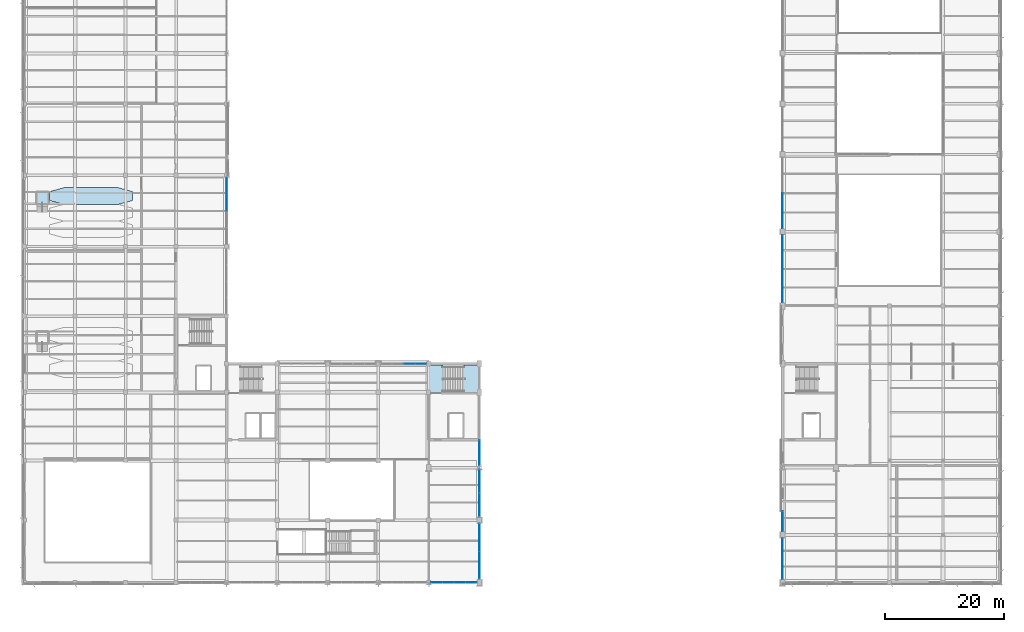
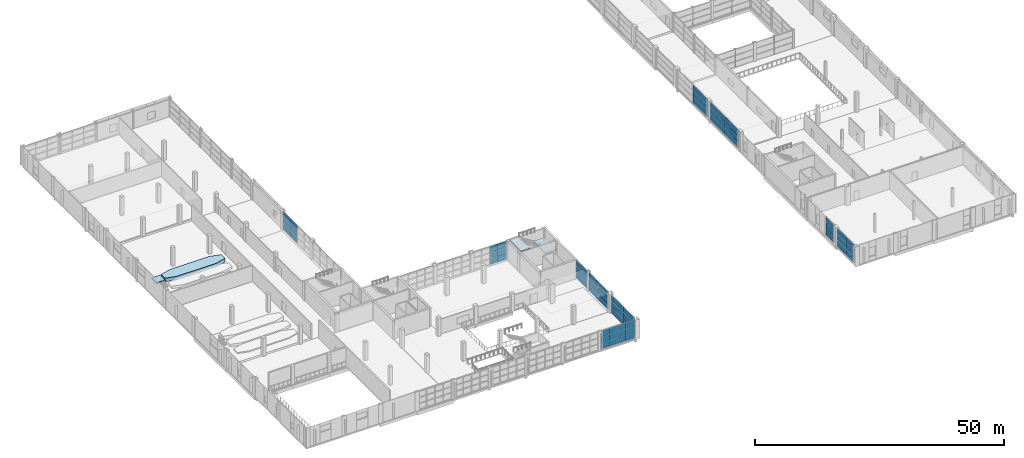
# One storey, part 86 of 112: 57 plates, 4 slabs, 12 elements without a shape of their own.
"""IFC4 building model written with IfcOpenShell, lengths in metres."""

import ifcopenshell
import ifcopenshell.guid

model = None  # the IFC model being written
_history = None  # IfcOwnerHistory: only IFC2X3 demands one
_inside = {}  # id of a spatial element -> (the spatial element, [elements in it])
_under = {}  # id of a project, library or spatial element -> (it, [spatial elements below it])
_declared = {}  # id of a project -> (the project, [libraries it declares])
_typed = {}  # id of a type object -> (the type object, [elements of that type])
_made_of = {}  # id of a material, layer set ... -> (it, [elements and type objects made of it])


def new_model(schema):
    """Start an empty IFC model of exactly this schema.

    Asked for "IFC4X3", IfcOpenShell would pick the latest addendum, in which some entities
    have other attributes; the version numbers below select the first issue.
    IFC2X3 requires an IfcOwnerHistory on every rooted entity: one is made here for all.
    """
    global model, _history
    if schema == "IFC4X3":
        model = ifcopenshell.file(schema_version=(4, 3, 0, 0))
    else:
        model = ifcopenshell.file(schema=schema)
    _inside.clear()
    _under.clear()
    _declared.clear()
    _typed.clear()
    _made_of.clear()
    _history = None
    if model.schema == "IFC2X3":
        org = make("IfcOrganization", Name="unknown")
        user = make(
            "IfcPersonAndOrganization",
            ThePerson=make("IfcPerson", FamilyName="unknown"),
            TheOrganization=org,
        )
        app = make(
            "IfcApplication",
            ApplicationDeveloper=org,
            Version="unknown",
            ApplicationFullName="unknown",
            ApplicationIdentifier="unknown",
        )
        _history = make(
            "IfcOwnerHistory",
            OwningUser=user,
            OwningApplication=app,
            ChangeAction="ADDED",
            CreationDate=0,
        )
    return model


def make(cls, **values):
    """One entity of the class cls with the attributes given. An attribute that is None is left unset."""
    return model.create_entity(
        cls, **{name: value for name, value in values.items() if value is not None}
    )


def rooted(cls, **values):
    """An entity with a GlobalId (a new one), such as an element, a storey or a relation."""
    return make(cls, GlobalId=ifcopenshell.guid.new(), OwnerHistory=_history, **values)


def si_unit(unit_type, name, prefix=None):
    """IfcSIUnit, for example si_unit("LENGTHUNIT", "METRE", prefix="MILLI")."""
    return make("IfcSIUnit", UnitType=unit_type, Prefix=prefix, Name=name)


def assignment(units):
    """IfcUnitAssignment: the units of a project."""
    return None if units is None else make("IfcUnitAssignment", Units=units)


def point(xyz):
    """IfcCartesianPoint."""
    return None if xyz is None else make("IfcCartesianPoint", Coordinates=xyz)


def direction(xyz):
    """IfcDirection."""
    return None if xyz is None else make("IfcDirection", DirectionRatios=xyz)


def frame(location, z_axis=None, x_axis=None):
    """IfcAxis2Placement3D, a coordinate frame: its origin and axes. An axis left out is left unset."""
    return make(
        "IfcAxis2Placement3D",
        Location=point(location),
        Axis=direction(z_axis),
        RefDirection=direction(x_axis),
    )


def frame_2d(location, x_axis=None):
    """IfcAxis2Placement2D, a coordinate frame in the plane: its origin and x axis."""
    return make(
        "IfcAxis2Placement2D", Location=point(location), RefDirection=direction(x_axis)
    )


def origin():
    """The frame at (0, 0, 0) with its axes left unset."""
    return frame((0.0, 0.0, 0.0))


def origin_2d():
    """The frame at (0, 0) in the plane with its x axis left unset."""
    return frame_2d((0.0, 0.0))


def place(relative_to, where):
    """IfcLocalPlacement: puts the frame where relative to a parent placement (None: the world)."""
    return make(
        "IfcLocalPlacement", PlacementRelTo=relative_to, RelativePlacement=where
    )


def context(
    kind, dimensions, precision=None, world=None, true_north=None, identifier=None
):
    """IfcGeometricRepresentationContext, for example the 3D "Model" context."""
    return make(
        "IfcGeometricRepresentationContext",
        ContextIdentifier=identifier,
        ContextType=kind,
        CoordinateSpaceDimension=dimensions,
        Precision=precision,
        WorldCoordinateSystem=world,
        TrueNorth=true_north,
    )


def subcontext(parent, identifier, kind, view, scale=None):
    """IfcGeometricRepresentationSubContext, for example "Body" below "Model"."""
    return make(
        "IfcGeometricRepresentationSubContext",
        ContextIdentifier=identifier,
        ContextType=kind,
        ParentContext=parent,
        TargetScale=scale,
        TargetView=view,
    )


def project(units=None, contexts=None):
    """IfcProject with its units and contexts."""
    return rooted(
        "IfcProject",
        Name="project",
        RepresentationContexts=contexts,
        UnitsInContext=assignment(units),
    )


def spatial(cls, under=None, at=None, **own):
    """A site, building, storey or space (cls), placed at a placement, below another one or the project."""
    s = rooted(cls, ObjectPlacement=at, **own)
    if under is not None:
        _under.setdefault(under.id(), (under, []))[1].append(s)
    return s


def polyline(points):
    """IfcPolyline through the points."""
    return make("IfcPolyline", Points=[point(p) for p in points])


def profile(cls, at=None, kind="AREA", **sizes):
    """A parametric profile (cls). Its sizes go by their IFC names, for example OverallWidth=200.0."""
    return make(cls, ProfileType=kind, Position=at, **sizes)


def rectangle(**sizes):
    """IfcRectangleProfileDef."""
    return profile("IfcRectangleProfileDef", **sizes)


def outline(outer, holes=None, kind="AREA"):
    """IfcArbitraryClosedProfileDef: a profile drawn as a closed curve; with holes, ...WithVoids."""
    if holes is None:
        return make("IfcArbitraryClosedProfileDef", ProfileType=kind, OuterCurve=outer)
    return make(
        "IfcArbitraryProfileDefWithVoids",
        ProfileType=kind,
        OuterCurve=outer,
        InnerCurves=holes,
    )


def extrude(swept, where, along, depth):
    """IfcExtrudedAreaSolid: the profile swept, set in the frame where, extruded along a direction by depth."""
    return make(
        "IfcExtrudedAreaSolid",
        SweptArea=swept,
        Position=where,
        ExtrudedDirection=direction(along),
        Depth=depth,
    )


def shape(context_of_items, identifier, shape_type, items):
    """IfcShapeRepresentation: the items that make up one representation, for example the "Body"."""
    return make(
        "IfcShapeRepresentation",
        ContextOfItems=context_of_items,
        RepresentationIdentifier=identifier,
        RepresentationType=shape_type,
        Items=items,
    )


def material(Name=None, Category=None):
    """IfcMaterial."""
    return make("IfcMaterial", Name=Name, Category=Category)


def layer(
    of_material, thickness, ventilated=None, Name=None, Category=None, Priority=None
):
    """IfcMaterialLayer: one layer of a wall or slab, of a material (None: an air gap)."""
    return make(
        "IfcMaterialLayer",
        Material=of_material,
        LayerThickness=thickness,
        IsVentilated=ventilated,
        Name=Name,
        Category=Category,
        Priority=Priority,
    )


def layer_set(layers, Name=None):
    """IfcMaterialLayerSet."""
    return make("IfcMaterialLayerSet", MaterialLayers=layers, LayerSetName=Name)


def made_of(thing, what):
    """Note that an element or type object is made of a material, layer set ...; save() writes the relation."""
    if what is not None:
        _made_of.setdefault(what.id(), (what, []))[1].append(thing)
    return thing


def type_object(cls, material=None, **own):
    """A type object (cls), such as IfcWallType, which elements share."""
    return made_of(rooted(cls, **own), material)


def element(
    cls,
    number,
    at=None,
    inside=None,
    cuts=None,
    type_object=None,
    material=None,
    context=None,
    identifier="Body",
    shape_type=None,
    held_by="IfcProductDefinitionShape",
    body=None,
    shapes=None,
    **own,
):
    """One element of the class cls, such as IfcWall. Its Tag is "e" and its number.

    at: its placement. inside: the storey or other place that contains it. cuts: it is an
    opening in that element (IfcRelVoidsElement). A single representation is given by context,
    identifier, shape_type and body (its items); several are given by shapes. held_by: the class
    of the entity that holds the representations. save() writes the other relations.
    """
    e = rooted(cls, Tag="e%d" % number, ObjectPlacement=at, **own)
    if body is not None:
        shapes = [shape(context, identifier, shape_type, body)]
    if shapes is not None:
        e.Representation = make(held_by, Representations=shapes)
    if inside is not None:
        _inside.setdefault(inside.id(), (inside, []))[1].append(e)
    if cuts is not None:
        rooted(
            "IfcRelVoidsElement", RelatingBuildingElement=cuts, RelatedOpeningElement=e
        )
    if type_object is not None:
        _typed.setdefault(type_object.id(), (type_object, []))[1].append(e)
    return made_of(e, material)


def aggregate(whole, parts):
    """IfcRelAggregates: a whole, such as a stair, and the parts it consists of."""
    return rooted("IfcRelAggregates", RelatingObject=whole, RelatedObjects=parts)


def save(model, path):
    """Write the relations noted so far, then the file.

    IfcRelAggregates (storeys below a building ...), IfcRelContainedInSpatialStructure (elements
    in a storey), IfcRelDefinesByType, IfcRelAssociatesMaterial and IfcRelDeclares: one each for
    every whole, place, type object, material and project.
    """
    for whole, parts in _under.values():
        aggregate(whole, parts)
    for where, things in _inside.values():
        rooted(
            "IfcRelContainedInSpatialStructure",
            RelatedElements=things,
            RelatingStructure=where,
        )
    for kind, things in _typed.values():
        rooted("IfcRelDefinesByType", RelatedObjects=things, RelatingType=kind)
    for what, things in _made_of.values():
        rooted("IfcRelAssociatesMaterial", RelatedObjects=things, RelatingMaterial=what)
    for by, libraries in _declared.values():
        rooted("IfcRelDeclares", RelatingContext=by, RelatedDefinitions=libraries)
    model.write(path)


model = new_model("IFC4")

# Units and contexts
model_context = context("Model", 3, precision=1e-05, world=origin(), true_north=direction((0.0, 1.0)))
body_context = subcontext(model_context, "Body", "Model", "MODEL_VIEW")
ifc_project = project(units=[si_unit("LENGTHUNIT", "METRE"), si_unit("AREAUNIT", "SQUARE_METRE"), si_unit("VOLUMEUNIT", "CUBIC_METRE"), si_unit("PLANEANGLEUNIT", "RADIAN"), si_unit("MASSUNIT", "GRAM", prefix="KILO")], contexts=[model_context])

# Site, building, storey
site_placement = place(None, origin())
site = spatial("IfcSite", under=ifc_project, at=site_placement, CompositionType="ELEMENT")
building_placement = place(site_placement, origin())
building = spatial("IfcBuilding", under=site, at=building_placement, Name="Solvikara Media Centre", CompositionType="ELEMENT")
storey_placement = place(building_placement, frame((0.0, 0.0, 5.39990234375)))
storey = spatial("IfcBuildingStorey", under=building, at=storey_placement, Name="L01", CompositionType="ELEMENT", Elevation=5.39990234375)

# Curtain wall, plates
ifc_material_1 = material(Name="Anodised aluminium EN AW-6063", Category="aluminium")
curtain_wall_type_1 = type_object("IfcCurtainWallType", Name="CW-04", PredefinedType="NOTDEFINED", material=ifc_material_1)
curtain_wall_1_placement = place(storey_placement, origin())
curtain_wall_1 = element("IfcCurtainWall", 1, at=curtain_wall_1_placement, inside=storey, type_object=curtain_wall_type_1, Name="CW-L01-V6S-5", PredefinedType="NOTDEFINED")
ifc_material_2 = material(Name="Double-glazed low-E architectural glass", Category="glass")
ifc_layer_1 = layer(ifc_material_2, 0.035888671875)
ifc_layer_set_1 = layer_set([ifc_layer_1], Name="Double-glazed low-E architectural glass")
plate_type_1 = type_object("IfcPlateType", Name="PN-06", PredefinedType="CURTAIN_PANEL", material=ifc_layer_set_1)
plate_1_placement = place(storey_placement, frame((69.34912109375, 0.0, 0.03466796875), z_axis=(0.0, 0.0, 1.0), x_axis=(1.0, 0.0, 0.0)))
plate_1 = element("IfcPlate", 2, at=plate_1_placement, type_object=plate_type_1, Name="CW-L01-V6S-5-P0000", PredefinedType="CURTAIN_PANEL", context=body_context, shape_type="SweptSolid", body=[
    extrude(rectangle(XDim=1.887939453125, YDim=0.035888671875, at=origin_2d()), origin(), (0.0, 0.0, 1.0), 1.45703125),
])
plate_2_placement = place(storey_placement, frame((69.34912109375, 0.0, 3.008544921875), z_axis=(0.0, 0.0, 1.0), x_axis=(1.0, 0.0, 0.0)))
plate_2 = element("IfcPlate", 3, at=plate_2_placement, type_object=plate_type_1, Name="CW-L01-V6S-5-P0002", PredefinedType="CURTAIN_PANEL", context=body_context, shape_type="SweptSolid", body=[
    extrude(rectangle(XDim=1.887939453125, YDim=0.035888671875, at=origin_2d()), origin(), (0.0, 0.0, 1.0), 1.45703125),
])
plate_3_placement = place(storey_placement, frame((71.26611328125, 0.0, 1.521484375), z_axis=(0.0, 0.0, 1.0), x_axis=(1.0, 0.0, 0.0)))
plate_3 = element("IfcPlate", 4, at=plate_3_placement, type_object=plate_type_1, Name="CW-L01-V6S-5-P0101", PredefinedType="CURTAIN_PANEL", context=body_context, shape_type="SweptSolid", body=[
    extrude(rectangle(XDim=1.887939453125, YDim=0.035888671875, at=origin_2d()), origin(), (0.0, 0.0, 1.0), 1.45703125),
])
plate_4_placement = place(storey_placement, frame((73.18408203125, 0.0, 0.03466796875), z_axis=(0.0, 0.0, 1.0), x_axis=(1.0, 0.0, 0.0)))
plate_4 = element("IfcPlate", 5, at=plate_4_placement, type_object=plate_type_1, Name="CW-L01-V6S-5-P0200", PredefinedType="CURTAIN_PANEL", context=body_context, shape_type="SweptSolid", body=[
    extrude(rectangle(XDim=1.887939453125, YDim=0.035888671875, at=origin_2d()), origin(), (0.0, 0.0, 1.0), 1.45703125),
])
plate_5_placement = place(storey_placement, frame((73.18408203125, 0.0, 3.008544921875), z_axis=(0.0, 0.0, 1.0), x_axis=(1.0, 0.0, 0.0)))
plate_5 = element("IfcPlate", 6, at=plate_5_placement, type_object=plate_type_1, Name="CW-L01-V6S-5-P0202", PredefinedType="CURTAIN_PANEL", context=body_context, shape_type="SweptSolid", body=[
    extrude(rectangle(XDim=1.887939453125, YDim=0.035888671875, at=origin_2d()), origin(), (0.0, 0.0, 1.0), 1.45703125),
])
plate_6_placement = place(storey_placement, frame((75.10107421875, 0.0, 1.521484375), z_axis=(0.0, 0.0, 1.0), x_axis=(1.0, 0.0, 0.0)))
plate_6 = element("IfcPlate", 7, at=plate_6_placement, type_object=plate_type_1, Name="CW-L01-V6S-5-P0301", PredefinedType="CURTAIN_PANEL", context=body_context, shape_type="SweptSolid", body=[
    extrude(rectangle(XDim=1.887939453125, YDim=0.035888671875, at=origin_2d()), origin(), (0.0, 0.0, 1.0), 1.45703125),
])
ifc_material_3 = material(Name="Insulated silver-pearl glass spandrel panel", Category="glass")
ifc_layer_2 = layer(ifc_material_3, 0.054931640625)
ifc_layer_set_2 = layer_set([ifc_layer_2], Name="Insulated silver-pearl glass spandrel panel")
plate_type_2 = type_object("IfcPlateType", Name="PN-07", PredefinedType="CURTAIN_PANEL", material=ifc_layer_set_2)
plate_7_placement = place(storey_placement, frame((69.34912109375, 0.0, 1.521484375), z_axis=(0.0, 0.0, 1.0), x_axis=(1.0, 0.0, 0.0)))
plate_7 = element("IfcPlate", 8, at=plate_7_placement, type_object=plate_type_2, Name="CW-L01-V6S-5-P0001", PredefinedType="CURTAIN_PANEL", context=body_context, shape_type="SweptSolid", body=[
    extrude(rectangle(XDim=1.887939453125, YDim=0.054931640625, at=origin_2d()), origin(), (0.0, 0.0, 1.0), 1.45703125),
])
plate_8_placement = place(storey_placement, frame((71.26611328125, 0.0, 0.03466796875), z_axis=(0.0, 0.0, 1.0), x_axis=(1.0, 0.0, 0.0)))
plate_8 = element("IfcPlate", 9, at=plate_8_placement, type_object=plate_type_2, Name="CW-L01-V6S-5-P0100", PredefinedType="CURTAIN_PANEL", context=body_context, shape_type="SweptSolid", body=[
    extrude(rectangle(XDim=1.887939453125, YDim=0.054931640625, at=origin_2d()), origin(), (0.0, 0.0, 1.0), 1.45703125),
])
plate_9_placement = place(storey_placement, frame((71.26611328125, 0.0, 3.008544921875), z_axis=(0.0, 0.0, 1.0), x_axis=(1.0, 0.0, 0.0)))
plate_9 = element("IfcPlate", 10, at=plate_9_placement, type_object=plate_type_2, Name="CW-L01-V6S-5-P0102", PredefinedType="CURTAIN_PANEL", context=body_context, shape_type="SweptSolid", body=[
    extrude(rectangle(XDim=1.887939453125, YDim=0.054931640625, at=origin_2d()), origin(), (0.0, 0.0, 1.0), 1.45703125),
])
plate_10_placement = place(storey_placement, frame((73.18408203125, 0.0, 1.521484375), z_axis=(0.0, 0.0, 1.0), x_axis=(1.0, 0.0, 0.0)))
plate_10 = element("IfcPlate", 11, at=plate_10_placement, type_object=plate_type_2, Name="CW-L01-V6S-5-P0201", PredefinedType="CURTAIN_PANEL", context=body_context, shape_type="SweptSolid", body=[
    extrude(rectangle(XDim=1.887939453125, YDim=0.054931640625, at=origin_2d()), origin(), (0.0, 0.0, 1.0), 1.45703125),
])
plate_11_placement = place(storey_placement, frame((75.10107421875, 0.0, 0.03466796875), z_axis=(0.0, 0.0, 1.0), x_axis=(1.0, 0.0, 0.0)))
plate_11 = element("IfcPlate", 12, at=plate_11_placement, type_object=plate_type_2, Name="CW-L01-V6S-5-P0300", PredefinedType="CURTAIN_PANEL", context=body_context, shape_type="SweptSolid", body=[
    extrude(rectangle(XDim=1.887939453125, YDim=0.054931640625, at=origin_2d()), origin(), (0.0, 0.0, 1.0), 1.45703125),
])
plate_12_placement = place(storey_placement, frame((75.10107421875, 0.0, 3.008544921875), z_axis=(0.0, 0.0, 1.0), x_axis=(1.0, 0.0, 0.0)))
plate_12 = element("IfcPlate", 13, at=plate_12_placement, type_object=plate_type_2, Name="CW-L01-V6S-5-P0302", PredefinedType="CURTAIN_PANEL", context=body_context, shape_type="SweptSolid", body=[
    extrude(rectangle(XDim=1.887939453125, YDim=0.054931640625, at=origin_2d()), origin(), (0.0, 0.0, 1.0), 1.45703125),
])
aggregate(curtain_wall_1, [plate_1, plate_7, plate_2, plate_8, plate_3, plate_9, plate_4, plate_10, plate_5, plate_11, plate_6, plate_12])

curtain_wall_type_2 = type_object("IfcCurtainWallType", Name="CW-16", PredefinedType="NOTDEFINED", material=ifc_material_1)
curtain_wall_2_placement = place(storey_placement, origin())
curtain_wall_2 = element("IfcCurtainWall", 14, at=curtain_wall_2_placement, inside=storey, type_object=curtain_wall_type_2, Name="CW-L01-V6E-S1", PredefinedType="NOTDEFINED")
ifc_material_4 = material(Name="Ceramic-fritted teal low-E glass", Category="glass")
ifc_layer_3 = layer(ifc_material_4, 0.0380859375)
ifc_layer_set_3 = layer_set([ifc_layer_3], Name="Ceramic-fritted teal low-E glass")
plate_type_3 = type_object("IfcPlateType", Name="PN-08", PredefinedType="CURTAIN_PANEL", material=ifc_layer_set_3)
plate_13_placement = place(storey_placement, frame((76.5, 2.919921875, 0.03466796875), z_axis=(0.0, 0.0, 1.0), x_axis=(0.0, 1.0, 0.0)))
plate_13 = element("IfcPlate", 15, at=plate_13_placement, type_object=plate_type_3, Name="CW-L01-V6E-S1-P0000", PredefinedType="CURTAIN_PANEL", context=body_context, shape_type="SweptSolid", body=[
    extrude(rectangle(XDim=4.6298828125, YDim=0.0380859375, at=origin_2d()), origin(), (0.0, 0.0, 1.0), 1.45703125),
])
plate_14_placement = place(storey_placement, frame((76.5, 2.919921875, 3.008544921875), z_axis=(0.0, 0.0, 1.0), x_axis=(0.0, 1.0, 0.0)))
plate_14 = element("IfcPlate", 16, at=plate_14_placement, type_object=plate_type_3, Name="CW-L01-V6E-S1-P0002", PredefinedType="CURTAIN_PANEL", context=body_context, shape_type="SweptSolid", body=[
    extrude(rectangle(XDim=4.6298828125, YDim=0.0380859375, at=origin_2d()), origin(), (0.0, 0.0, 1.0), 1.45703125),
])
plate_15_placement = place(storey_placement, frame((76.5, 7.580078125, 1.521484375), z_axis=(0.0, 0.0, 1.0), x_axis=(0.0, 1.0, 0.0)))
plate_15 = element("IfcPlate", 17, at=plate_15_placement, type_object=plate_type_3, Name="CW-L01-V6E-S1-P0101", PredefinedType="CURTAIN_PANEL", context=body_context, shape_type="SweptSolid", body=[
    extrude(rectangle(XDim=4.6298828125, YDim=0.0380859375, at=origin_2d()), origin(), (0.0, 0.0, 1.0), 1.45703125),
])

curtain_wall_3_placement = place(storey_placement, origin())
curtain_wall_3 = element("IfcCurtainWall", 18, at=curtain_wall_3_placement, inside=storey, type_object=curtain_wall_type_2, Name="CW-L01-V6E-S2", PredefinedType="NOTDEFINED")
plate_16_placement = place(storey_placement, frame((76.5, 13.06201171875, 0.03466796875), z_axis=(0.0, 0.0, 1.0), x_axis=(0.0, 1.0, 0.0)))
plate_16 = element("IfcPlate", 19, at=plate_16_placement, type_object=plate_type_3, Name="CW-L01-V6E-S2-P0000", PredefinedType="CURTAIN_PANEL", context=body_context, shape_type="SweptSolid", body=[
    extrude(rectangle(XDim=3.9140625, YDim=0.0380859375, at=origin_2d()), origin(), (0.0, 0.0, 1.0), 1.45703125),
])
plate_17_placement = place(storey_placement, frame((76.5, 13.06201171875, 3.008544921875), z_axis=(0.0, 0.0, 1.0), x_axis=(0.0, 1.0, 0.0)))
plate_17 = element("IfcPlate", 20, at=plate_17_placement, type_object=plate_type_3, Name="CW-L01-V6E-S2-P0002", PredefinedType="CURTAIN_PANEL", context=body_context, shape_type="SweptSolid", body=[
    extrude(rectangle(XDim=3.9140625, YDim=0.0380859375, at=origin_2d()), origin(), (0.0, 0.0, 1.0), 1.45703125),
])
plate_18_placement = place(storey_placement, frame((76.5, 17.007080078125, 1.521484375), z_axis=(0.0, 0.0, 1.0), x_axis=(0.0, 1.0, 0.0)))
plate_18 = element("IfcPlate", 21, at=plate_18_placement, type_object=plate_type_3, Name="CW-L01-V6E-S2-P0101", PredefinedType="CURTAIN_PANEL", context=body_context, shape_type="SweptSolid", body=[
    extrude(rectangle(XDim=3.9140625, YDim=0.0380859375, at=origin_2d()), origin(), (0.0, 0.0, 1.0), 1.45703125),
])

curtain_wall_4_placement = place(storey_placement, origin())
curtain_wall_4 = element("IfcCurtainWall", 22, at=curtain_wall_4_placement, inside=storey, type_object=curtain_wall_type_2, Name="CW-L01-V6E-S3", PredefinedType="NOTDEFINED")
plate_19_placement = place(storey_placement, frame((76.5, 21.81689453125, 0.03466796875), z_axis=(0.0, 0.0, 1.0), x_axis=(0.0, 1.0, 0.0)))
plate_19 = element("IfcPlate", 23, at=plate_19_placement, type_object=plate_type_3, Name="CW-L01-V6E-S3-P0000", PredefinedType="CURTAIN_PANEL", context=body_context, shape_type="SweptSolid", body=[
    extrude(rectangle(XDim=4.26611328125, YDim=0.0380859375, at=origin_2d()), origin(), (0.0, 0.0, 1.0), 1.45703125),
])
plate_20_placement = place(storey_placement, frame((76.5, 21.81689453125, 3.008544921875), z_axis=(0.0, 0.0, 1.0), x_axis=(0.0, 1.0, 0.0)))
plate_20 = element("IfcPlate", 24, at=plate_20_placement, type_object=plate_type_3, Name="CW-L01-V6E-S3-P0002", PredefinedType="CURTAIN_PANEL", context=body_context, shape_type="SweptSolid", body=[
    extrude(rectangle(XDim=4.26611328125, YDim=0.0380859375, at=origin_2d()), origin(), (0.0, 0.0, 1.0), 1.45703125),
])

curtain_wall_type_3 = type_object("IfcCurtainWallType", Name="CW-05", PredefinedType="NOTDEFINED", material=ifc_material_1)
curtain_wall_5_placement = place(storey_placement, origin())
curtain_wall_5 = element("IfcCurtainWall", 25, at=curtain_wall_5_placement, inside=storey, type_object=curtain_wall_type_3, Name="CW-L01-V6N-3", PredefinedType="NOTDEFINED")
plate_21_placement = place(storey_placement, frame((64.715087890625, 36.800048828125, 0.03466796875), z_axis=(0.0, 0.0, 1.0), x_axis=(1.0, 0.0, 0.0)))
plate_21 = element("IfcPlate", 26, at=plate_21_placement, type_object=plate_type_3, Name="CW-L01-V6N-3-P0200", PredefinedType="CURTAIN_PANEL", context=body_context, shape_type="SweptSolid", body=[
    extrude(rectangle(XDim=1.89990234375, YDim=0.0380859375, at=origin_2d()), origin(), (0.0, 0.0, 1.0), 1.45703125),
])
plate_22_placement = place(storey_placement, frame((64.715087890625, 36.800048828125, 3.008544921875), z_axis=(0.0, 0.0, 1.0), x_axis=(1.0, 0.0, 0.0)))
plate_22 = element("IfcPlate", 27, at=plate_22_placement, type_object=plate_type_3, Name="CW-L01-V6N-3-P0202", PredefinedType="CURTAIN_PANEL", context=body_context, shape_type="SweptSolid", body=[
    extrude(rectangle(XDim=1.89990234375, YDim=0.0380859375, at=origin_2d()), origin(), (0.0, 0.0, 1.0), 1.45703125),
])
plate_23_placement = place(storey_placement, frame((66.64501953125, 36.800048828125, 1.521484375), z_axis=(0.0, 0.0, 1.0), x_axis=(1.0, 0.0, 0.0)))
plate_23 = element("IfcPlate", 28, at=plate_23_placement, type_object=plate_type_3, Name="CW-L01-V6N-3-P0301", PredefinedType="CURTAIN_PANEL", context=body_context, shape_type="SweptSolid", body=[
    extrude(rectangle(XDim=1.89990234375, YDim=0.0380859375, at=origin_2d()), origin(), (0.0, 0.0, 1.0), 1.45703125),
])

# Plate
ifc_layer_4 = layer(ifc_material_3, 0.054931640625)
ifc_layer_set_4 = layer_set([ifc_layer_4], Name="Insulated silver-pearl glass spandrel panel")
plate_type_4 = type_object("IfcPlateType", Name="PN-09", PredefinedType="CURTAIN_PANEL", material=ifc_layer_set_4)
plate_24_placement = place(storey_placement, frame((76.5, 2.919921875, 1.521484375), z_axis=(0.0, 0.0, 1.0), x_axis=(0.0, 1.0, 0.0)))
plate_24 = element("IfcPlate", 29, at=plate_24_placement, type_object=plate_type_4, Name="CW-L01-V6E-S1-P0001", PredefinedType="CURTAIN_PANEL", context=body_context, shape_type="SweptSolid", body=[
    extrude(rectangle(XDim=4.6298828125, YDim=0.054931640625, at=origin_2d()), origin(), (0.0, 0.0, 1.0), 1.45703125),
])

plate_25_placement = place(storey_placement, frame((76.5, 7.580078125, 0.03466796875), z_axis=(0.0, 0.0, 1.0), x_axis=(0.0, 1.0, 0.0)))
plate_25 = element("IfcPlate", 30, at=plate_25_placement, type_object=plate_type_4, Name="CW-L01-V6E-S1-P0100", PredefinedType="CURTAIN_PANEL", context=body_context, shape_type="SweptSolid", body=[
    extrude(rectangle(XDim=4.6298828125, YDim=0.054931640625, at=origin_2d()), origin(), (0.0, 0.0, 1.0), 1.45703125),
])

plate_26_placement = place(storey_placement, frame((76.5, 7.580078125, 3.008544921875), z_axis=(0.0, 0.0, 1.0), x_axis=(0.0, 1.0, 0.0)))
plate_26 = element("IfcPlate", 31, at=plate_26_placement, type_object=plate_type_4, Name="CW-L01-V6E-S1-P0102", PredefinedType="CURTAIN_PANEL", context=body_context, shape_type="SweptSolid", body=[
    extrude(rectangle(XDim=4.6298828125, YDim=0.054931640625, at=origin_2d()), origin(), (0.0, 0.0, 1.0), 1.45703125),
])

aggregate(curtain_wall_2, [plate_13, plate_24, plate_14, plate_25, plate_15, plate_26])

plate_27_placement = place(storey_placement, frame((76.5, 13.06201171875, 1.521484375), z_axis=(0.0, 0.0, 1.0), x_axis=(0.0, 1.0, 0.0)))
plate_27 = element("IfcPlate", 32, at=plate_27_placement, type_object=plate_type_4, Name="CW-L01-V6E-S2-P0001", PredefinedType="CURTAIN_PANEL", context=body_context, shape_type="SweptSolid", body=[
    extrude(rectangle(XDim=3.9140625, YDim=0.054931640625, at=origin_2d()), origin(), (0.0, 0.0, 1.0), 1.45703125),
])

plate_28_placement = place(storey_placement, frame((76.5, 17.007080078125, 0.03466796875), z_axis=(0.0, 0.0, 1.0), x_axis=(0.0, 1.0, 0.0)))
plate_28 = element("IfcPlate", 33, at=plate_28_placement, type_object=plate_type_4, Name="CW-L01-V6E-S2-P0100", PredefinedType="CURTAIN_PANEL", context=body_context, shape_type="SweptSolid", body=[
    extrude(rectangle(XDim=3.9140625, YDim=0.054931640625, at=origin_2d()), origin(), (0.0, 0.0, 1.0), 1.45703125),
])

plate_29_placement = place(storey_placement, frame((76.5, 17.007080078125, 3.008544921875), z_axis=(0.0, 0.0, 1.0), x_axis=(0.0, 1.0, 0.0)))
plate_29 = element("IfcPlate", 34, at=plate_29_placement, type_object=plate_type_4, Name="CW-L01-V6E-S2-P0102", PredefinedType="CURTAIN_PANEL", context=body_context, shape_type="SweptSolid", body=[
    extrude(rectangle(XDim=3.9140625, YDim=0.054931640625, at=origin_2d()), origin(), (0.0, 0.0, 1.0), 1.45703125),
])

aggregate(curtain_wall_3, [plate_16, plate_27, plate_17, plate_28, plate_18, plate_29])

plate_30_placement = place(storey_placement, frame((76.5, 21.81689453125, 1.521484375), z_axis=(0.0, 0.0, 1.0), x_axis=(0.0, 1.0, 0.0)))
plate_30 = element("IfcPlate", 35, at=plate_30_placement, type_object=plate_type_4, Name="CW-L01-V6E-S3-P0001", PredefinedType="CURTAIN_PANEL", context=body_context, shape_type="SweptSolid", body=[
    extrude(rectangle(XDim=4.26611328125, YDim=0.054931640625, at=origin_2d()), origin(), (0.0, 0.0, 1.0), 1.45703125),
])

aggregate(curtain_wall_4, [plate_19, plate_30, plate_20])

plate_31_placement = place(storey_placement, frame((64.715087890625, 36.800048828125, 1.521484375), z_axis=(0.0, 0.0, 1.0), x_axis=(1.0, 0.0, 0.0)))
plate_31 = element("IfcPlate", 36, at=plate_31_placement, type_object=plate_type_4, Name="CW-L01-V6N-3-P0201", PredefinedType="CURTAIN_PANEL", context=body_context, shape_type="SweptSolid", body=[
    extrude(rectangle(XDim=1.89990234375, YDim=0.054931640625, at=origin_2d()), origin(), (0.0, 0.0, 1.0), 1.45703125),
])

plate_32_placement = place(storey_placement, frame((66.64501953125, 36.800048828125, 0.03466796875), z_axis=(0.0, 0.0, 1.0), x_axis=(1.0, 0.0, 0.0)))
plate_32 = element("IfcPlate", 37, at=plate_32_placement, type_object=plate_type_4, Name="CW-L01-V6N-3-P0300", PredefinedType="CURTAIN_PANEL", context=body_context, shape_type="SweptSolid", body=[
    extrude(rectangle(XDim=1.89990234375, YDim=0.054931640625, at=origin_2d()), origin(), (0.0, 0.0, 1.0), 1.45703125),
])

plate_33_placement = place(storey_placement, frame((66.64501953125, 36.800048828125, 3.008544921875), z_axis=(0.0, 0.0, 1.0), x_axis=(1.0, 0.0, 0.0)))
plate_33 = element("IfcPlate", 38, at=plate_33_placement, type_object=plate_type_4, Name="CW-L01-V6N-3-P0302", PredefinedType="CURTAIN_PANEL", context=body_context, shape_type="SweptSolid", body=[
    extrude(rectangle(XDim=1.89990234375, YDim=0.054931640625, at=origin_2d()), origin(), (0.0, 0.0, 1.0), 1.45703125),
])

aggregate(curtain_wall_5, [plate_21, plate_31, plate_22, plate_32, plate_23, plate_33])

# Curtain wall, plates
curtain_wall_type_4 = type_object("IfcCurtainWallType", Name="CW-12", PredefinedType="NOTDEFINED", material=ifc_material_1)
curtain_wall_6_placement = place(storey_placement, origin())
curtain_wall_6 = element("IfcCurtainWall", 39, at=curtain_wall_6_placement, inside=storey, type_object=curtain_wall_type_4, Name="CW-L01-V5WS-S1", PredefinedType="NOTDEFINED")
plate_34_placement = place(storey_placement, frame((127.5, 2.294921875, 1.521484375), z_axis=(0.0, 0.0, 1.0), x_axis=(0.0, 1.0, 0.0)))
plate_34 = element("IfcPlate", 40, at=plate_34_placement, type_object=plate_type_4, Name="CW-L01-V5WS-S1-P0001", PredefinedType="CURTAIN_PANEL", context=body_context, shape_type="SweptSolid", body=[
    extrude(rectangle(XDim=3.3798828125, YDim=0.054931640625, at=origin_2d()), origin(), (0.0, 0.0, 1.0), 1.45703125),
])
plate_35_placement = place(storey_placement, frame((127.5, 5.705078125, 0.03466796875), z_axis=(0.0, 0.0, 1.0), x_axis=(0.0, 1.0, 0.0)))
plate_35 = element("IfcPlate", 41, at=plate_35_placement, type_object=plate_type_4, Name="CW-L01-V5WS-S1-P0100", PredefinedType="CURTAIN_PANEL", context=body_context, shape_type="SweptSolid", body=[
    extrude(rectangle(XDim=3.3798828125, YDim=0.054931640625, at=origin_2d()), origin(), (0.0, 0.0, 1.0), 1.45703125),
])
plate_36_placement = place(storey_placement, frame((127.5, 5.705078125, 3.008544921875), z_axis=(0.0, 0.0, 1.0), x_axis=(0.0, 1.0, 0.0)))
plate_36 = element("IfcPlate", 42, at=plate_36_placement, type_object=plate_type_4, Name="CW-L01-V5WS-S1-P0102", PredefinedType="CURTAIN_PANEL", context=body_context, shape_type="SweptSolid", body=[
    extrude(rectangle(XDim=3.3798828125, YDim=0.054931640625, at=origin_2d()), origin(), (0.0, 0.0, 1.0), 1.45703125),
])

# Curtain wall, plate
curtain_wall_7_placement = place(storey_placement, origin())
curtain_wall_7 = element("IfcCurtainWall", 43, at=curtain_wall_7_placement, inside=storey, type_object=curtain_wall_type_4, Name="CW-L01-V5WS-S2", PredefinedType="NOTDEFINED")
plate_37_placement = place(storey_placement, frame((127.5, 10.278076171875, 1.521484375), z_axis=(0.0, 0.0, 1.0), x_axis=(0.0, 1.0, 0.0)))
plate_37 = element("IfcPlate", 44, at=plate_37_placement, type_object=plate_type_4, Name="CW-L01-V5WS-S2-P0001", PredefinedType="CURTAIN_PANEL", context=body_context, shape_type="SweptSolid", body=[
    extrude(rectangle(XDim=3.344970703125, YDim=0.054931640625, at=origin_2d()), origin(), (0.0, 0.0, 1.0), 1.45703125),
])

# Curtain wall, plates
curtain_wall_type_5 = type_object("IfcCurtainWallType", Name="CW-07", PredefinedType="NOTDEFINED", material=ifc_material_1)
curtain_wall_8_placement = place(storey_placement, origin())
curtain_wall_8 = element("IfcCurtainWall", 45, at=curtain_wall_8_placement, inside=storey, type_object=curtain_wall_type_5, Name="CW-L01-V4E-S2", PredefinedType="NOTDEFINED")
ifc_layer_5 = layer(ifc_material_2, 0.035888671875)
ifc_layer_set_5 = layer_set([ifc_layer_5], Name="Double-glazed low-E architectural glass")
plate_type_5 = type_object("IfcPlateType", Name="PN-10", PredefinedType="CURTAIN_PANEL", material=ifc_layer_set_5)
plate_38_placement = place(storey_placement, frame((34.0, 63.902099609375, 0.03466796875), z_axis=(0.0, 0.0, 1.0), x_axis=(0.0, 1.0, 0.0)))
plate_38 = element("IfcPlate", 46, at=plate_38_placement, type_object=plate_type_5, Name="CW-L01-V4E-S2-P0200", PredefinedType="CURTAIN_PANEL", context=body_context, shape_type="SweptSolid", body=[
    extrude(rectangle(XDim=2.77490234375, YDim=0.035888671875, at=origin_2d()), origin(), (0.0, 0.0, 1.0), 1.45703125),
])
plate_39_placement = place(storey_placement, frame((34.0, 63.902099609375, 3.008544921875), z_axis=(0.0, 0.0, 1.0), x_axis=(0.0, 1.0, 0.0)))
plate_39 = element("IfcPlate", 47, at=plate_39_placement, type_object=plate_type_5, Name="CW-L01-V4E-S2-P0202", PredefinedType="CURTAIN_PANEL", context=body_context, shape_type="SweptSolid", body=[
    extrude(rectangle(XDim=2.77490234375, YDim=0.035888671875, at=origin_2d()), origin(), (0.0, 0.0, 1.0), 1.45703125),
])
plate_40_placement = place(storey_placement, frame((34.0, 66.70703125, 1.521484375), z_axis=(0.0, 0.0, 1.0), x_axis=(0.0, 1.0, 0.0)))
plate_40 = element("IfcPlate", 48, at=plate_40_placement, type_object=plate_type_5, Name="CW-L01-V4E-S2-P0301", PredefinedType="CURTAIN_PANEL", context=body_context, shape_type="SweptSolid", body=[
    extrude(rectangle(XDim=2.77490234375, YDim=0.035888671875, at=origin_2d()), origin(), (0.0, 0.0, 1.0), 1.45703125),
])
ifc_layer_6 = layer(ifc_material_3, 0.054931640625)
ifc_layer_set_6 = layer_set([ifc_layer_6], Name="Insulated silver-pearl glass spandrel panel")
plate_type_6 = type_object("IfcPlateType", Name="PN-11", PredefinedType="CURTAIN_PANEL", material=ifc_layer_set_6)
plate_41_placement = place(storey_placement, frame((34.0, 63.902099609375, 1.521484375), z_axis=(0.0, 0.0, 1.0), x_axis=(0.0, 1.0, 0.0)))
plate_41 = element("IfcPlate", 49, at=plate_41_placement, type_object=plate_type_6, Name="CW-L01-V4E-S2-P0201", PredefinedType="CURTAIN_PANEL", context=body_context, shape_type="SweptSolid", body=[
    extrude(rectangle(XDim=2.77490234375, YDim=0.054931640625, at=origin_2d()), origin(), (0.0, 0.0, 1.0), 1.45703125),
])
plate_42_placement = place(storey_placement, frame((34.0, 66.70703125, 0.03466796875), z_axis=(0.0, 0.0, 1.0), x_axis=(0.0, 1.0, 0.0)))
plate_42 = element("IfcPlate", 50, at=plate_42_placement, type_object=plate_type_6, Name="CW-L01-V4E-S2-P0300", PredefinedType="CURTAIN_PANEL", context=body_context, shape_type="SweptSolid", body=[
    extrude(rectangle(XDim=2.77490234375, YDim=0.054931640625, at=origin_2d()), origin(), (0.0, 0.0, 1.0), 1.45703125),
])
plate_43_placement = place(storey_placement, frame((34.0, 66.70703125, 3.008544921875), z_axis=(0.0, 0.0, 1.0), x_axis=(0.0, 1.0, 0.0)))
plate_43 = element("IfcPlate", 51, at=plate_43_placement, type_object=plate_type_6, Name="CW-L01-V4E-S2-P0302", PredefinedType="CURTAIN_PANEL", context=body_context, shape_type="SweptSolid", body=[
    extrude(rectangle(XDim=2.77490234375, YDim=0.054931640625, at=origin_2d()), origin(), (0.0, 0.0, 1.0), 1.45703125),
])
aggregate(curtain_wall_8, [plate_38, plate_41, plate_39, plate_42, plate_40, plate_43])

# Plate
ifc_layer_7 = layer(ifc_material_4, 0.0380859375)
ifc_layer_set_7 = layer_set([ifc_layer_7], Name="Ceramic-fritted teal low-E glass")
plate_type_7 = type_object("IfcPlateType", Name="PN-12", PredefinedType="CURTAIN_PANEL", material=ifc_layer_set_7)
plate_44_placement = place(storey_placement, frame((127.5, 2.294921875, 0.03466796875), z_axis=(0.0, 0.0, 1.0), x_axis=(0.0, 1.0, 0.0)))
plate_44 = element("IfcPlate", 52, at=plate_44_placement, type_object=plate_type_7, Name="CW-L01-V5WS-S1-P0000", PredefinedType="CURTAIN_PANEL", context=body_context, shape_type="SweptSolid", body=[
    extrude(rectangle(XDim=3.3798828125, YDim=0.0380859375, at=origin_2d()), origin(), (0.0, 0.0, 1.0), 1.45703125),
])

plate_45_placement = place(storey_placement, frame((127.5, 2.294921875, 3.008544921875), z_axis=(0.0, 0.0, 1.0), x_axis=(0.0, 1.0, 0.0)))
plate_45 = element("IfcPlate", 53, at=plate_45_placement, type_object=plate_type_7, Name="CW-L01-V5WS-S1-P0002", PredefinedType="CURTAIN_PANEL", context=body_context, shape_type="SweptSolid", body=[
    extrude(rectangle(XDim=3.3798828125, YDim=0.0380859375, at=origin_2d()), origin(), (0.0, 0.0, 1.0), 1.45703125),
])

plate_46_placement = place(storey_placement, frame((127.5, 5.705078125, 1.521484375), z_axis=(0.0, 0.0, 1.0), x_axis=(0.0, 1.0, 0.0)))
plate_46 = element("IfcPlate", 54, at=plate_46_placement, type_object=plate_type_7, Name="CW-L01-V5WS-S1-P0101", PredefinedType="CURTAIN_PANEL", context=body_context, shape_type="SweptSolid", body=[
    extrude(rectangle(XDim=3.3798828125, YDim=0.0380859375, at=origin_2d()), origin(), (0.0, 0.0, 1.0), 1.45703125),
])

aggregate(curtain_wall_6, [plate_44, plate_34, plate_45, plate_35, plate_46, plate_36])

plate_47_placement = place(storey_placement, frame((127.5, 10.278076171875, 0.03466796875), z_axis=(0.0, 0.0, 1.0), x_axis=(0.0, 1.0, 0.0)))
plate_47 = element("IfcPlate", 55, at=plate_47_placement, type_object=plate_type_7, Name="CW-L01-V5WS-S2-P0000", PredefinedType="CURTAIN_PANEL", context=body_context, shape_type="SweptSolid", body=[
    extrude(rectangle(XDim=3.344970703125, YDim=0.0380859375, at=origin_2d()), origin(), (0.0, 0.0, 1.0), 1.45703125),
])

plate_48_placement = place(storey_placement, frame((127.5, 10.278076171875, 3.008544921875), z_axis=(0.0, 0.0, 1.0), x_axis=(0.0, 1.0, 0.0)))
plate_48 = element("IfcPlate", 56, at=plate_48_placement, type_object=plate_type_7, Name="CW-L01-V5WS-S2-P0002", PredefinedType="CURTAIN_PANEL", context=body_context, shape_type="SweptSolid", body=[
    extrude(rectangle(XDim=3.344970703125, YDim=0.0380859375, at=origin_2d()), origin(), (0.0, 0.0, 1.0), 1.45703125),
])

aggregate(curtain_wall_7, [plate_47, plate_37, plate_48])

# Curtain wall, plates
curtain_wall_9_placement = place(storey_placement, origin())
curtain_wall_9 = element("IfcCurtainWall", 57, at=curtain_wall_9_placement, inside=storey, type_object=curtain_wall_type_4, Name="CW-L01-V2W-S1", PredefinedType="NOTDEFINED")
plate_49_placement = place(storey_placement, frame((127.5, 49.931884765625, 0.03466796875), z_axis=(0.0, 0.0, 1.0), x_axis=(0.0, 1.0, 0.0)))
plate_49 = element("IfcPlate", 58, at=plate_49_placement, type_object=plate_type_7, Name="CW-L01-V2W-S1-P0000", PredefinedType="CURTAIN_PANEL", context=body_context, shape_type="SweptSolid", body=[
    extrude(rectangle(XDim=5.655029296875, YDim=0.0380859375, at=origin_2d()), origin(), (0.0, 0.0, 1.0), 1.45703125),
])
plate_50_placement = place(storey_placement, frame((127.5, 49.931884765625, 1.521484375), z_axis=(0.0, 0.0, 1.0), x_axis=(0.0, 1.0, 0.0)))
plate_50 = element("IfcPlate", 59, at=plate_50_placement, type_object=plate_type_7, Name="CW-L01-V2W-S1-P0001", PredefinedType="CURTAIN_PANEL", context=body_context, shape_type="SweptSolid", body=[
    extrude(rectangle(XDim=5.655029296875, YDim=0.0380859375, at=origin_2d()), origin(), (0.0, 0.0, 1.0), 1.45703125),
])
plate_51_placement = place(storey_placement, frame((127.5, 49.931884765625, 3.008544921875), z_axis=(0.0, 0.0, 1.0), x_axis=(0.0, 1.0, 0.0)))
plate_51 = element("IfcPlate", 60, at=plate_51_placement, type_object=plate_type_7, Name="CW-L01-V2W-S1-P0002", PredefinedType="CURTAIN_PANEL", context=body_context, shape_type="SweptSolid", body=[
    extrude(rectangle(XDim=5.655029296875, YDim=0.0380859375, at=origin_2d()), origin(), (0.0, 0.0, 1.0), 1.45703125),
])
plate_52_placement = place(storey_placement, frame((127.5, 55.616943359375, 0.03466796875), z_axis=(0.0, 0.0, 1.0), x_axis=(0.0, 1.0, 0.0)))
plate_52 = element("IfcPlate", 61, at=plate_52_placement, type_object=plate_type_7, Name="CW-L01-V2W-S1-P0100", PredefinedType="CURTAIN_PANEL", context=body_context, shape_type="SweptSolid", body=[
    extrude(rectangle(XDim=5.655029296875, YDim=0.0380859375, at=origin_2d()), origin(), (0.0, 0.0, 1.0), 1.45703125),
])
plate_53_placement = place(storey_placement, frame((127.5, 55.616943359375, 1.521484375), z_axis=(0.0, 0.0, 1.0), x_axis=(0.0, 1.0, 0.0)))
plate_53 = element("IfcPlate", 62, at=plate_53_placement, type_object=plate_type_7, Name="CW-L01-V2W-S1-P0101", PredefinedType="CURTAIN_PANEL", context=body_context, shape_type="SweptSolid", body=[
    extrude(rectangle(XDim=5.655029296875, YDim=0.0380859375, at=origin_2d()), origin(), (0.0, 0.0, 1.0), 1.45703125),
])
plate_54_placement = place(storey_placement, frame((127.5, 55.616943359375, 3.008544921875), z_axis=(0.0, 0.0, 1.0), x_axis=(0.0, 1.0, 0.0)))
plate_54 = element("IfcPlate", 63, at=plate_54_placement, type_object=plate_type_7, Name="CW-L01-V2W-S1-P0102", PredefinedType="CURTAIN_PANEL", context=body_context, shape_type="SweptSolid", body=[
    extrude(rectangle(XDim=5.655029296875, YDim=0.0380859375, at=origin_2d()), origin(), (0.0, 0.0, 1.0), 1.45703125),
])
aggregate(curtain_wall_9, [plate_49, plate_50, plate_51, plate_52, plate_53, plate_54])

curtain_wall_10_placement = place(storey_placement, origin())
curtain_wall_10 = element("IfcCurtainWall", 64, at=curtain_wall_10_placement, inside=storey, type_object=curtain_wall_type_4, Name="CW-L01-V2W-S2", PredefinedType="NOTDEFINED")
plate_55_placement = place(storey_placement, frame((127.5, 62.52001953125, 0.03466796875), z_axis=(0.0, 0.0, 1.0), x_axis=(0.0, 1.0, 0.0)))
plate_55 = element("IfcPlate", 65, at=plate_55_placement, type_object=plate_type_7, Name="CW-L01-V2W-S2-P0000", PredefinedType="CURTAIN_PANEL", context=body_context, shape_type="SweptSolid", body=[
    extrude(rectangle(XDim=5.929931640625, YDim=0.0380859375, at=origin_2d()), origin(), (0.0, 0.0, 1.0), 1.45703125),
])
plate_56_placement = place(storey_placement, frame((127.5, 62.52001953125, 1.521484375), z_axis=(0.0, 0.0, 1.0), x_axis=(0.0, 1.0, 0.0)))
plate_56 = element("IfcPlate", 66, at=plate_56_placement, type_object=plate_type_7, Name="CW-L01-V2W-S2-P0001", PredefinedType="CURTAIN_PANEL", context=body_context, shape_type="SweptSolid", body=[
    extrude(rectangle(XDim=5.929931640625, YDim=0.0380859375, at=origin_2d()), origin(), (0.0, 0.0, 1.0), 1.45703125),
])
plate_57_placement = place(storey_placement, frame((127.5, 62.52001953125, 3.008544921875), z_axis=(0.0, 0.0, 1.0), x_axis=(0.0, 1.0, 0.0)))
plate_57 = element("IfcPlate", 67, at=plate_57_placement, type_object=plate_type_7, Name="CW-L01-V2W-S2-P0002", PredefinedType="CURTAIN_PANEL", context=body_context, shape_type="SweptSolid", body=[
    extrude(rectangle(XDim=5.929931640625, YDim=0.0380859375, at=origin_2d()), origin(), (0.0, 0.0, 1.0), 1.45703125),
])
aggregate(curtain_wall_10, [plate_55, plate_56, plate_57])

# Stair, slabs
ifc_material_5 = material(Name="Concrete fc' 35 MPa (C35/45)", Category="concrete")
stair_type_1 = type_object("IfcStairType", Name="SR-03", PredefinedType="HALF_TURN_STAIR", material=ifc_material_5)
stair_1_placement = place(storey_placement, origin())
stair_1 = element("IfcStair", 68, at=stair_1_placement, inside=storey, type_object=stair_type_1, Name="ST-C3-L01", PredefinedType="HALF_TURN_STAIR")
ifc_layer_8 = layer(ifc_material_5, 0.330078125)
ifc_layer_set_8 = layer_set([ifc_layer_8], Name="Concrete fc' 35 MPa (C35/45)")
slab_type_1 = type_object("IfcSlabType", Name="ST-15", PredefinedType="LANDING", material=ifc_layer_set_8)
slab_1_placement = place(storey_placement, frame((0.0, 0.0, 2.070068359375)))
slab_1 = element("IfcSlab", 69, at=slab_1_placement, type_object=slab_type_1, Name="ST-C3-L01-LND", PredefinedType="LANDING", context=body_context, shape_type="SweptSolid", body=[
    extrude(outline(polyline([(73.800048828125, 31.85009765625), (76.3798828125, 31.85009765625), (76.3798828125, 36.6201171875), (73.800048828125, 36.6201171875), (73.800048828125, 31.85009765625)])), origin(), (0.0, 0.0, 1.0), 0.330078125),
])
slab_2_placement = place(storey_placement, frame((0.0, 0.0, 4.47021484375)))
slab_2 = element("IfcSlab", 70, at=slab_2_placement, type_object=slab_type_1, Name="ST-C3-L01-ARR", PredefinedType="LANDING", context=body_context, shape_type="SweptSolid", body=[
    extrude(outline(polyline([(68.1201171875, 31.85009765625), (70.39990234375, 31.85009765625), (70.39990234375, 36.6201171875), (68.1201171875, 36.6201171875), (68.1201171875, 31.85009765625)])), origin(), (0.0, 0.0, 1.0), 0.329833984375),
])
aggregate(stair_1, [slab_1, slab_2])

# Stair, slab
stair_type_2 = type_object("IfcStairType", Name="SR-08", PredefinedType="STRAIGHT_RUN_STAIR", material=ifc_material_5)
stair_2_placement = place(storey_placement, origin())
stair_2 = element("IfcStair", 71, at=stair_2_placement, inside=storey, type_object=stair_type_2, Name="ST-MX5-AISLE", PredefinedType="STRAIGHT_RUN_STAIR")
ifc_layer_9 = layer(ifc_material_5, 0.2900390625)
ifc_layer_set_9 = layer_set([ifc_layer_9], Name="Concrete fc' 35 MPa (C35/45)")
slab_type_2 = type_object("IfcSlabType", Name="ST-16", PredefinedType="LANDING", material=ifc_layer_set_9)
slab_3_placement = place(storey_placement, frame((0.0, 0.0, 0.610107421875)))
slab_3 = element("IfcSlab", 72, at=slab_3_placement, type_object=slab_type_2, Name="ST-MX5-AISLE-ARR", PredefinedType="LANDING", context=body_context, shape_type="SweptSolid", body=[
    extrude(outline(polyline([(2.0, 63.699951171875), (4.0, 63.699951171875), (4.0, 65.699951171875), (2.0, 65.699951171875), (2.0, 63.699951171875)])), origin(), (0.0, 0.0, 1.0), 0.2900390625),
])
aggregate(stair_2, [slab_3])

# Slab
ifc_layer_10 = layer(ifc_material_5, 0.89990234375)
ifc_layer_set_10 = layer_set([ifc_layer_10], Name="Concrete fc' 35 MPa (C35/45)")
slab_type_3 = type_object("IfcSlabType", Name="ST-20", PredefinedType="USERDEFINED", material=ifc_layer_set_10)
slab_4_placement = place(storey_placement, origin())
element("IfcSlab", 73, at=slab_4_placement, inside=storey, type_object=slab_type_3, Name="TIER-MX2-03", ObjectType="SEATING TIER", PredefinedType="USERDEFINED", context=body_context, shape_type="SweptSolid", body=[
    extrude(outline(polyline([(6.60009765625, 63.60009765625), (15.800048828125, 63.60009765625), (18.199951171875, 64.25), (18.199951171875, 65.75), (15.800048828125, 66.39990234375), (6.60009765625, 66.39990234375), (4.199951171875, 65.75), (4.199951171875, 64.25), (6.60009765625, 63.60009765625)])), origin(), (0.0, 0.0, 1.0), 0.900146484375),
])

save(model, "model.ifc")
